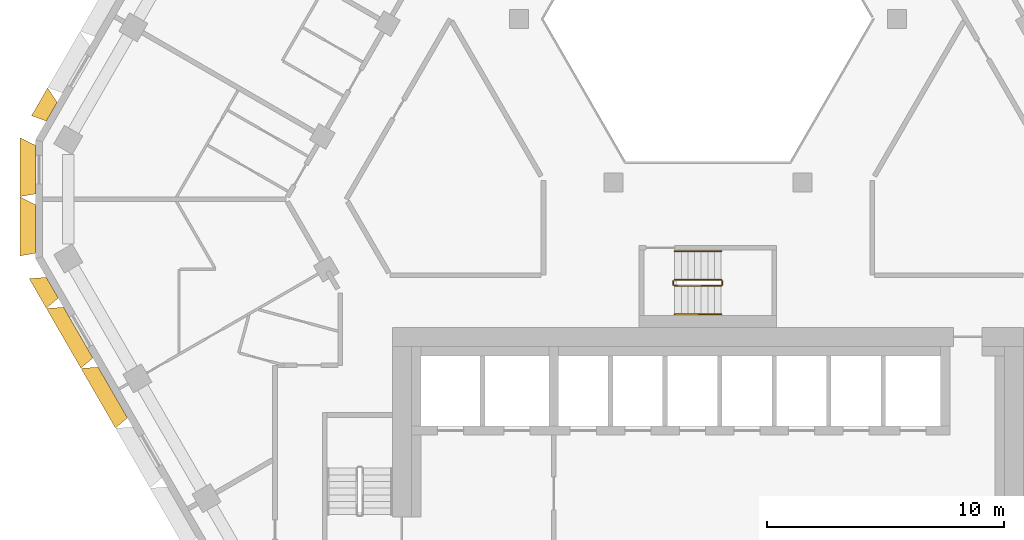
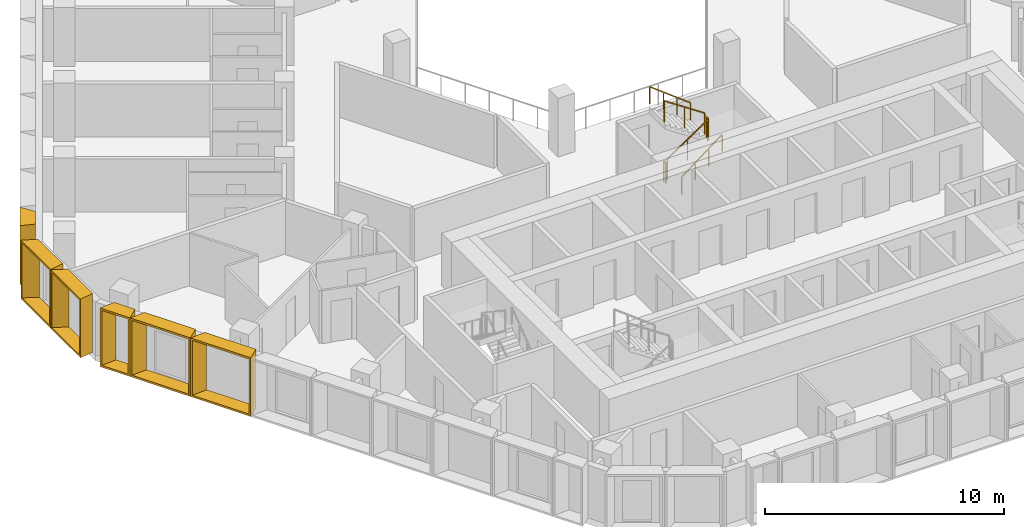
# One storey, part 13 of 15: 6 railings, 6 shading devices.
"""IFC4 building model written with IfcOpenShell, lengths in metres."""

from ifc_helpers import new_model, entity, si_unit, direction, frame, origin, origin_2d, place, context, subcontext, project, spatial, rectangle, extrude, source, transform, mapped, material, type_object, type_shapes, element, save


model = new_model("IFC4")

# Units and contexts
model_context = context("Model", 3, precision=1e-05, world=origin(), true_north=direction((0.0, 1.0)))
body_context = subcontext(model_context, "Body", "Model", "MODEL_VIEW")
ifc_project = project(units=[si_unit("LENGTHUNIT", "METRE"), si_unit("AREAUNIT", "SQUARE_METRE"), si_unit("VOLUMEUNIT", "CUBIC_METRE"), si_unit("PLANEANGLEUNIT", "RADIAN"), si_unit("MASSUNIT", "GRAM", prefix="KILO")], contexts=[model_context])

# Site, building, storey
site_placement = place(None, origin())
site = spatial("IfcSite", under=ifc_project, at=site_placement, CompositionType="ELEMENT")
building_placement = place(site_placement, origin())
building = spatial("IfcBuilding", under=site, at=building_placement, Name="Beryl Residences", CompositionType="ELEMENT")
storey_placement = place(building_placement, frame((0.0, 0.0, 141.60009765625)))
storey = spatial("IfcBuildingStorey", under=building, at=storey_placement, Name="L43", CompositionType="ELEMENT", Elevation=141.60009765625)

# Shading devices
ifc_material_1 = material(Name="Aluminium pale anodised", Category="aluminium")
shading_device_type_1 = type_object("IfcShadingDeviceType", Name="FR137-65B OUTER SKIN frame 650 mm deep, splay 26/10 deg, 1370 x 3000 mm cell", PredefinedType="USERDEFINED", material=ifc_material_1)
cartesian_point_1 = entity("IfcCartesianPoint", [-0.458984375, 0.0])
cartesian_point_2 = entity("IfcCartesianPoint", [-0.369873046875, 0.10009765625])
cartesian_point_3 = entity("IfcCartesianPoint", [-0.776123046875, 0.0])
cartesian_point_4 = entity("IfcCartesianPoint", [-0.68701171875, 0.10009765625])
shared_shape_1 = source(origin(), body_context, "Body", "SweptSolid", [
    entity("IfcExtrudedAreaSolidTapered", entity("IfcArbitraryProfileDefWithVoids", "AREA", None, entity("IfcPolyline", [cartesian_point_1, entity("IfcCartesianPoint", [0.458984375, 0.0]), entity("IfcCartesianPoint", [0.458984375, 3.0]), entity("IfcCartesianPoint", [-0.458984375, 3.0]), cartesian_point_1]), [entity("IfcPolyline", [cartesian_point_2, entity("IfcCartesianPoint", [0.377685546875, 0.10009765625]), entity("IfcCartesianPoint", [0.377685546875, 2.89990234375]), entity("IfcCartesianPoint", [-0.369873046875, 2.89990234375]), cartesian_point_2])]), entity("IfcAxis2Placement3D", entity("IfcCartesianPoint", [0.0, 0.0, 0.0]), entity("IfcDirection", [0.0, 1.0, 0.0]), entity("IfcDirection", [-1.0, 0.0, 0.0])), entity("IfcDirection", [0.0, 0.0, 1.0]), 0.64990234375, entity("IfcArbitraryProfileDefWithVoids", "AREA", None, entity("IfcPolyline", [cartesian_point_3, entity("IfcCartesianPoint", [0.57373046875, 0.0]), entity("IfcCartesianPoint", [0.57373046875, 3.0]), entity("IfcCartesianPoint", [-0.776123046875, 3.0]), cartesian_point_3]), [entity("IfcPolyline", [cartesian_point_4, entity("IfcCartesianPoint", [0.492431640625, 0.10009765625]), entity("IfcCartesianPoint", [0.492431640625, 2.89990234375]), entity("IfcCartesianPoint", [-0.68701171875, 2.89990234375]), cartesian_point_4])])),
])
type_shapes(shading_device_type_1, [shared_shape_1])
shading_device_1_placement = place(storey_placement, frame((-27.658935546875, 4.093017578125, 0.0), z_axis=(0.0, 0.0, 1.0), x_axis=(0.5, 0.866025403784, 0.0)))
element("IfcShadingDevice", 1, at=shading_device_1_placement, inside=storey, type_object=shading_device_type_1, Name="FR137-65B frame L43 NW 9", ObjectType="OUTER SKIN", PredefinedType="USERDEFINED", context=body_context, shape_type="MappedRepresentation", body=[
    mapped(shared_shape_1, transform((0.0, 0.0, 0.0))),
])
ifc_material_2 = material(Name="Aluminium pale anodised", Category="aluminium")
shading_device_type_2 = type_object("IfcShadingDeviceType", Name="FR146-65B OUTER SKIN frame 650 mm deep, splay 26/10 deg, 1460 x 3000 mm cell", PredefinedType="USERDEFINED", material=ifc_material_2)
cartesian_point_5 = entity("IfcCartesianPoint", [-0.50390625, 0.0])
cartesian_point_6 = entity("IfcCartesianPoint", [-0.4150390625, 0.10009765625])
cartesian_point_7 = entity("IfcCartesianPoint", [-0.821044921875, 0.0])
cartesian_point_8 = entity("IfcCartesianPoint", [-0.73193359375, 0.10009765625])
shared_shape_2 = source(origin(), body_context, "Body", "SweptSolid", [
    entity("IfcExtrudedAreaSolidTapered", entity("IfcArbitraryProfileDefWithVoids", "AREA", None, entity("IfcPolyline", [cartesian_point_5, entity("IfcCartesianPoint", [0.50390625, 0.0]), entity("IfcCartesianPoint", [0.50390625, 3.0]), entity("IfcCartesianPoint", [-0.50390625, 3.0]), cartesian_point_5]), [entity("IfcPolyline", [cartesian_point_6, entity("IfcCartesianPoint", [0.4228515625, 0.10009765625]), entity("IfcCartesianPoint", [0.4228515625, 2.89990234375]), entity("IfcCartesianPoint", [-0.4150390625, 2.89990234375]), cartesian_point_6])]), entity("IfcAxis2Placement3D", entity("IfcCartesianPoint", [0.0, 0.0, 0.0]), entity("IfcDirection", [0.0, 1.0, 0.0]), entity("IfcDirection", [-1.0, 0.0, 0.0])), entity("IfcDirection", [0.0, 0.0, 1.0]), 0.64990234375, entity("IfcArbitraryProfileDefWithVoids", "AREA", None, entity("IfcPolyline", [cartesian_point_7, entity("IfcCartesianPoint", [0.61865234375, 0.0]), entity("IfcCartesianPoint", [0.61865234375, 3.0]), entity("IfcCartesianPoint", [-0.821044921875, 3.0]), cartesian_point_7]), [entity("IfcPolyline", [cartesian_point_8, entity("IfcCartesianPoint", [0.537353515625, 0.10009765625]), entity("IfcCartesianPoint", [0.537353515625, 2.89990234375]), entity("IfcCartesianPoint", [-0.73193359375, 2.89990234375]), cartesian_point_8])])),
])
type_shapes(shading_device_type_2, [shared_shape_2])
shading_device_2_placement = place(storey_placement, frame((-27.636962890625, -3.3310546875, 0.0), z_axis=(0.0, 0.0, 1.0), x_axis=(-0.5, 0.866025403784, 0.0)))
element("IfcShadingDevice", 2, at=shading_device_2_placement, inside=storey, type_object=shading_device_type_2, Name="FR146-65B frame L43 SW 1", ObjectType="OUTER SKIN", PredefinedType="USERDEFINED", context=body_context, shape_type="MappedRepresentation", body=[
    mapped(shared_shape_2, transform((0.0, 0.0, 0.0))),
])
ifc_material_3 = material(Name="Aluminium pale anodised", Category="aluminium")
shading_device_type_3 = type_object("IfcShadingDeviceType", Name="FR250-65B OUTER SKIN frame 650 mm deep, splay 26/10 deg, 2500 x 3000 mm cell", PredefinedType="USERDEFINED", material=ifc_material_3)
cartesian_point_9 = entity("IfcCartesianPoint", [-1.02392578125, 0.0])
cartesian_point_10 = entity("IfcCartesianPoint", [-0.93505859375, 0.10009765625])
cartesian_point_11 = entity("IfcCartesianPoint", [-1.341064453125, 0.0])
cartesian_point_12 = entity("IfcCartesianPoint", [-1.251953125, 0.10009765625])
shared_shape_3 = source(origin(), body_context, "Body", "SweptSolid", [
    entity("IfcExtrudedAreaSolidTapered", entity("IfcArbitraryProfileDefWithVoids", "AREA", None, entity("IfcPolyline", [cartesian_point_9, entity("IfcCartesianPoint", [1.02392578125, 0.0]), entity("IfcCartesianPoint", [1.02392578125, 3.0]), entity("IfcCartesianPoint", [-1.02392578125, 3.0]), cartesian_point_9]), [entity("IfcPolyline", [cartesian_point_10, entity("IfcCartesianPoint", [0.94287109375, 0.10009765625]), entity("IfcCartesianPoint", [0.94287109375, 2.89990234375]), entity("IfcCartesianPoint", [-0.93505859375, 2.89990234375]), cartesian_point_10])]), entity("IfcAxis2Placement3D", entity("IfcCartesianPoint", [0.0, 0.0, 0.0]), entity("IfcDirection", [0.0, 1.0, 0.0]), entity("IfcDirection", [-1.0, 0.0, 0.0])), entity("IfcDirection", [0.0, 0.0, 1.0]), 0.64990234375, entity("IfcArbitraryProfileDefWithVoids", "AREA", None, entity("IfcPolyline", [cartesian_point_11, entity("IfcCartesianPoint", [1.138671875, 0.0]), entity("IfcCartesianPoint", [1.138671875, 3.0]), entity("IfcCartesianPoint", [-1.341064453125, 3.0]), cartesian_point_11]), [entity("IfcPolyline", [cartesian_point_12, entity("IfcCartesianPoint", [1.057373046875, 0.10009765625]), entity("IfcCartesianPoint", [1.057373046875, 2.89990234375]), entity("IfcCartesianPoint", [-1.251953125, 2.89990234375]), cartesian_point_12])])),
])
type_shapes(shading_device_type_3, [shared_shape_3])
for number, where, z_axis, x_axis, name in (
    (3, (-28.347900390625, 1.64990234375, 0.0), (0.0, 0.0, 1.0), (0.0, 1.0, 0.0), "FR250-65B frame L43 NW-SW 1"),
    (4, (-28.347900390625, -0.85009765625, 0.0), (0.0, 0.0, 1.0), (0.0, 1.0, 0.0), "FR250-65B frame L43 NW-SW 2"),
):
    element("IfcShadingDevice", number, at=place(storey_placement, frame(where, z_axis=z_axis, x_axis=x_axis)), inside=storey, type_object=shading_device_type_3, Name=name, ObjectType="OUTER SKIN", PredefinedType="USERDEFINED", context=body_context, shape_type="MappedRepresentation", body=[
        mapped(shared_shape_3, transform((0.0, 0.0, 0.0))),
    ])
ifc_material_4 = material(Name="Aluminium pale anodised", Category="aluminium")
shading_device_type_4 = type_object("IfcShadingDeviceType", Name="FR292-65B OUTER SKIN frame 650 mm deep, splay 26/10 deg, 2920 x 3000 mm cell", PredefinedType="USERDEFINED", material=ifc_material_4)
cartesian_point_13 = entity("IfcCartesianPoint", [-1.23388671875, 0.0])
cartesian_point_14 = entity("IfcCartesianPoint", [-1.14501953125, 0.10009765625])
cartesian_point_15 = entity("IfcCartesianPoint", [-1.551025390625, 0.0])
cartesian_point_16 = entity("IfcCartesianPoint", [-1.4619140625, 0.10009765625])
shared_shape_4 = source(origin(), body_context, "Body", "SweptSolid", [
    entity("IfcExtrudedAreaSolidTapered", entity("IfcArbitraryProfileDefWithVoids", "AREA", None, entity("IfcPolyline", [cartesian_point_13, entity("IfcCartesianPoint", [1.23388671875, 0.0]), entity("IfcCartesianPoint", [1.23388671875, 3.0]), entity("IfcCartesianPoint", [-1.23388671875, 3.0]), cartesian_point_13]), [entity("IfcPolyline", [cartesian_point_14, entity("IfcCartesianPoint", [1.15283203125, 0.10009765625]), entity("IfcCartesianPoint", [1.15283203125, 2.89990234375]), entity("IfcCartesianPoint", [-1.14501953125, 2.89990234375]), cartesian_point_14])]), entity("IfcAxis2Placement3D", entity("IfcCartesianPoint", [0.0, 0.0, 0.0]), entity("IfcDirection", [0.0, 1.0, 0.0]), entity("IfcDirection", [-1.0, 0.0, 0.0])), entity("IfcDirection", [0.0, 0.0, 1.0]), 0.64990234375, entity("IfcArbitraryProfileDefWithVoids", "AREA", None, entity("IfcPolyline", [cartesian_point_15, entity("IfcCartesianPoint", [1.3486328125, 0.0]), entity("IfcCartesianPoint", [1.3486328125, 3.0]), entity("IfcCartesianPoint", [-1.551025390625, 3.0]), cartesian_point_15]), [entity("IfcPolyline", [cartesian_point_16, entity("IfcCartesianPoint", [1.267333984375, 0.10009765625]), entity("IfcCartesianPoint", [1.267333984375, 2.89990234375]), entity("IfcCartesianPoint", [-1.4619140625, 2.89990234375]), cartesian_point_16])])),
])
type_shapes(shading_device_type_4, [shared_shape_4])
for number, where, z_axis, x_axis, name in (
    (5, (-26.5439453125, -5.22412109375, 0.0), (0.0, 0.0, 1.0), (-0.5, 0.866025403784, 0.0), "FR292-65B frame L43 SW 2"),
    (6, (-25.0859375, -7.7490234375, 0.0), (0.0, 0.0, 1.0), (-0.5, 0.866025403784, 0.0), "FR292-65B frame L43 SW 3"),
):
    element("IfcShadingDevice", number, at=place(storey_placement, frame(where, z_axis=z_axis, x_axis=x_axis)), inside=storey, type_object=shading_device_type_4, Name=name, ObjectType="OUTER SKIN", PredefinedType="USERDEFINED", context=body_context, shape_type="MappedRepresentation", body=[
        mapped(shared_shape_4, transform((0.0, 0.0, 0.0))),
    ])

# Railings
ifc_material_5 = material(Name="Stainless steel balustrade with glass infill", Category="steel")
railing_type_1 = type_object("IfcRailingType", Name="SG1 stair guard 1100 mm", PredefinedType="GUARDRAIL", material=ifc_material_5)
railing_1_placement = place(storey_placement, frame((-1.39990234375, -3.25, 0.1875)))
element("IfcRailing", 7, at=railing_1_placement, inside=storey, type_object=railing_type_1, Name="L43 ST-4 stair guard 1", PredefinedType="GUARDRAIL", context=body_context, shape_type="SweptSolid", body=[
    extrude(rectangle(XDim=0.048095703125, YDim=0.048095703125, at=origin_2d()), frame((0.0, 0.0, 1.076171875), z_axis=(0.830902050051, 0.0, 0.556418712142), x_axis=(0.0, 1.0, 0.0)), (0.0, 0.0, 1.0), 2.35888671875),
    extrude(rectangle(XDim=0.0419921875, YDim=0.0419921875, at=origin_2d()), origin(), (0.0, 0.0, 1.0), 1.052001953125),
    extrude(rectangle(XDim=0.0419921875, YDim=0.0419921875, at=origin_2d()), frame((0.97998046875, 0.0, 0.65625)), (0.0, 0.0, 1.0), 1.052001953125),
    extrude(rectangle(XDim=0.0419921875, YDim=0.0419921875, at=origin_2d()), frame((1.9599609375, 0.0, 1.3125)), (0.0, 0.0, 1.0), 1.052001953125),
])
railing_2_placement = place(storey_placement, frame((0.610107421875, -3.199951171875, 1.5)))
element("IfcRailing", 8, at=railing_2_placement, inside=storey, type_object=railing_type_1, Name="L43 ST-4 stair guard 2", PredefinedType="GUARDRAIL", context=body_context, shape_type="SweptSolid", body=[
    extrude(rectangle(XDim=0.048095703125, YDim=0.048095703125, at=origin_2d()), frame((0.0, 0.0, 1.076171875), z_axis=(0.0, 1.0, 0.0), x_axis=(-1.0, 0.0, 0.0)), (0.0, 0.0, 1.0), 0.14990234375),
    extrude(rectangle(XDim=0.0419921875, YDim=0.0419921875, at=origin_2d()), origin(), (0.0, 0.0, 1.0), 1.052001953125),
    extrude(rectangle(XDim=0.0419921875, YDim=0.0419921875, at=origin_2d()), frame((0.0, 0.14990234375, 0.0)), (0.0, 0.0, 1.0), 1.052001953125),
])
railing_3_placement = place(storey_placement, frame((0.56005859375, -3.0, 1.6875)))
element("IfcRailing", 9, at=railing_3_placement, inside=storey, type_object=railing_type_1, Name="L43 ST-4 stair guard 3", PredefinedType="GUARDRAIL", context=body_context, shape_type="SweptSolid", body=[
    extrude(rectangle(XDim=0.048095703125, YDim=0.048095703125, at=origin_2d()), frame((0.0, 0.0, 1.076171875), z_axis=(-0.830902050051, 0.0, 0.556418712142), x_axis=(0.0, -1.0, 0.0)), (0.0, 0.0, 1.0), 2.35888671875),
    extrude(rectangle(XDim=0.0419921875, YDim=0.0419921875, at=origin_2d()), origin(), (0.0, 0.0, 1.0), 1.052001953125),
    extrude(rectangle(XDim=0.0419921875, YDim=0.0419921875, at=origin_2d()), frame((-0.97998046875, 0.0, 0.65625)), (0.0, 0.0, 1.0), 1.052001953125),
    extrude(rectangle(XDim=0.0419921875, YDim=0.0419921875, at=origin_2d()), frame((-1.9599609375, 0.0, 1.3125)), (0.0, 0.0, 1.0), 1.052001953125),
])
railing_4_placement = place(storey_placement, frame((-1.449951171875, -3.199951171875, 0.0)))
element("IfcRailing", 10, at=railing_4_placement, inside=storey, type_object=railing_type_1, Name="L43 ST-4 stair guard 4", PredefinedType="GUARDRAIL", context=body_context, shape_type="SweptSolid", body=[
    extrude(rectangle(XDim=0.048095703125, YDim=0.048095703125, at=origin_2d()), frame((0.0, 0.0, 1.076171875), z_axis=(0.0, 1.0, 0.0), x_axis=(-1.0, 0.0, 0.0)), (0.0, 0.0, 1.0), 0.14990234375),
    extrude(rectangle(XDim=0.0419921875, YDim=0.0419921875, at=origin_2d()), origin(), (0.0, 0.0, 1.0), 1.052001953125),
    extrude(rectangle(XDim=0.0419921875, YDim=0.0419921875, at=origin_2d()), frame((0.0, 0.14990234375, 0.0)), (0.0, 0.0, 1.0), 1.052001953125),
])
ifc_material_6 = material(Name="Stainless steel handrail", Category="steel")
railing_type_2 = type_object("IfcRailingType", Name="SRL1 stair handrail 900 mm", PredefinedType="HANDRAIL", material=ifc_material_6)
railing_5_placement = place(storey_placement, frame((-1.39990234375, -4.449951171875, 0.1875)))
element("IfcRailing", 11, at=railing_5_placement, inside=storey, type_object=railing_type_2, Name="L43 ST-4 stair handrail 1", PredefinedType="HANDRAIL", context=body_context, shape_type="SweptSolid", body=[
    extrude(rectangle(XDim=0.048095703125, YDim=0.048095703125, at=origin_2d()), frame((0.0, 0.0, 0.8759765625), z_axis=(0.794121922505, 0.0, 0.607758481798), x_axis=(0.0, 1.0, 0.0)), (0.0, 0.0, 1.0), 2.468017578125),
    extrude(rectangle(XDim=0.0419921875, YDim=0.0419921875, at=origin_2d()), origin(), (0.0, 0.0, 1.0), 0.851806640625),
    extrude(rectangle(XDim=0.0419921875, YDim=0.0419921875, at=origin_2d()), frame((0.6533203125, 0.0, 0.5)), (0.0, 0.0, 1.0), 0.851806640625),
    extrude(rectangle(XDim=0.0419921875, YDim=0.0419921875, at=origin_2d()), frame((1.306640625, 0.0, 1.0)), (0.0, 0.0, 1.0), 0.851806640625),
    extrude(rectangle(XDim=0.0419921875, YDim=0.0419921875, at=origin_2d()), frame((1.9599609375, 0.0, 1.5)), (0.0, 0.0, 1.0), 0.851806640625),
])
railing_6_placement = place(storey_placement, frame((0.56005859375, -1.800048828125, 1.6875)))
element("IfcRailing", 12, at=railing_6_placement, inside=storey, type_object=railing_type_2, Name="L43 ST-4 stair handrail 2", PredefinedType="HANDRAIL", context=body_context, shape_type="SweptSolid", body=[
    extrude(rectangle(XDim=0.048095703125, YDim=0.048095703125, at=origin_2d()), frame((0.0, 0.0, 0.8759765625), z_axis=(-0.794121922505, 0.0, 0.607758481798), x_axis=(0.0, -1.0, 0.0)), (0.0, 0.0, 1.0), 2.468017578125),
    extrude(rectangle(XDim=0.0419921875, YDim=0.0419921875, at=origin_2d()), origin(), (0.0, 0.0, 1.0), 0.851806640625),
    extrude(rectangle(XDim=0.0419921875, YDim=0.0419921875, at=origin_2d()), frame((-0.6533203125, 0.0, 0.5)), (0.0, 0.0, 1.0), 0.851806640625),
    extrude(rectangle(XDim=0.0419921875, YDim=0.0419921875, at=origin_2d()), frame((-1.306640625, 0.0, 1.0)), (0.0, 0.0, 1.0), 0.851806640625),
    extrude(rectangle(XDim=0.0419921875, YDim=0.0419921875, at=origin_2d()), frame((-1.9599609375, 0.0, 1.5)), (0.0, 0.0, 1.0), 0.851806640625),
])

save(model, "model.ifc")
